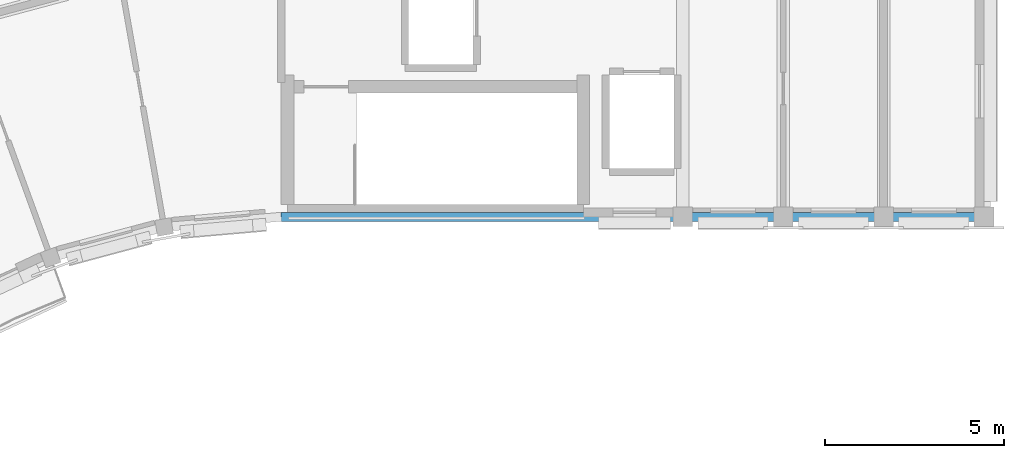
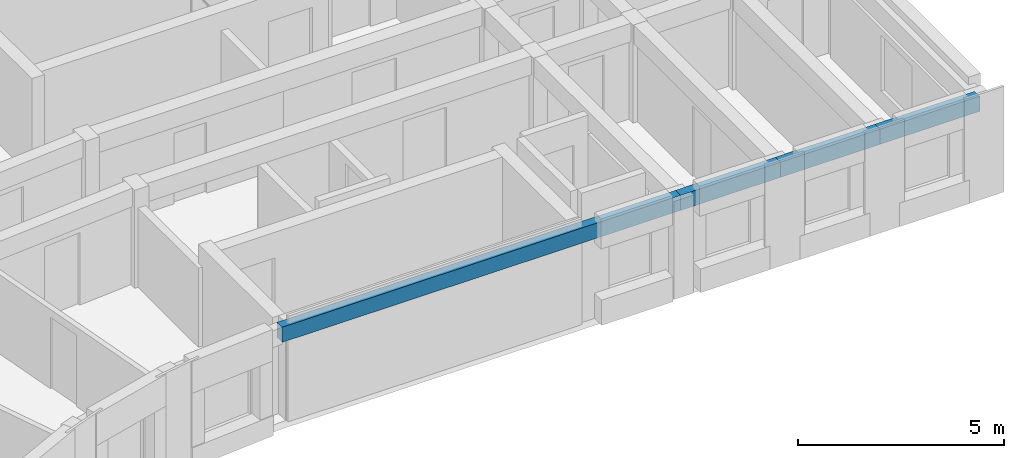
# One storey, part 3 of 14: 4 beams.
"""IFC4 building model written with IfcOpenShell, lengths in metres."""

from ifc_helpers import new_model, si_unit, direction, frame, origin, origin_2d, place, context, subcontext, project, spatial, rectangle, extrude, material, material_profile, profile_set, type_object, element, save


model = new_model("IFC4")

# Units and contexts
model_context = context("Model", 3, precision=1e-05, world=origin(), true_north=direction((0.0, 1.0)))
body_context = subcontext(model_context, "Body", "Model", "MODEL_VIEW")
ifc_project = project(units=[si_unit("LENGTHUNIT", "METRE"), si_unit("AREAUNIT", "SQUARE_METRE"), si_unit("VOLUMEUNIT", "CUBIC_METRE"), si_unit("PLANEANGLEUNIT", "RADIAN"), si_unit("MASSUNIT", "GRAM", prefix="KILO")], contexts=[model_context])

# Site, building, storey
site_placement = place(None, origin())
site = spatial("IfcSite", under=ifc_project, at=site_placement, CompositionType="ELEMENT")
building_placement = place(site_placement, origin())
building = spatial("IfcBuilding", under=site, at=building_placement, Name="Kiranvali Square Residences", CompositionType="ELEMENT")
storey_placement = place(building_placement, frame((0.0, 0.0, 49.64990234375)))
storey = spatial("IfcBuildingStorey", under=building, at=storey_placement, Name="L15", CompositionType="ELEMENT", Elevation=49.64990234375)

# Beams
ifc_material = material(Name="Concrete M40 (40 MPa)", Category="concrete")
ifc_material_profile = material_profile(ifc_material, rectangle(XDim=0.25, YDim=0.449951171875, at=origin_2d()), Name="RC 250x450")
ifc_profile_set = profile_set([ifc_material_profile], Name="Concrete M40 (40 MPa)")
beam_type = type_object("IfcBeamType", Name="SPN-M40-250x450", PredefinedType="SPANDREL", material=ifc_profile_set)
beam_placement = place(storey_placement, frame((48.199951171875, 106.60009765625, 2.68505859375), z_axis=(1.0, 0.0, 0.0), x_axis=(0.0, 1.0, 0.0)))
element("IfcBeam", 1, at=beam_placement, inside=storey, type_object=beam_type, Name="L15 beam BM-A-L15-A1U0-R0", PredefinedType="SPANDREL", context=body_context, shape_type="SweptSolid", body=[
    extrude(rectangle(XDim=0.25, YDim=0.449951171875, at=origin_2d()), origin(), (0.0, 0.0, 1.0), 11.199951171875),
])
for number, where, z_axis, x_axis, name in (
    (2, (59.39990234375, 106.60009765625, 2.68505859375), (1.0, 0.0, 0.0), (0.0, 1.0, 0.0), "L15 beam BM-A-L15-A1U1-R0"),
    (3, (62.199951171875, 106.60009765625, 2.68505859375), (1.0, 0.0, 0.0), (0.0, 1.0, 0.0), "L15 beam BM-A-L15-A1U2-R0"),
    (4, (65.0, 106.60009765625, 2.68505859375), (1.0, 0.0, 0.0), (0.0, 1.0, 0.0), "L15 beam BM-A-L15-A1U3-R0"),
):
    element("IfcBeam", number, at=place(storey_placement, frame(where, z_axis=z_axis, x_axis=x_axis)), inside=storey, type_object=beam_type, Name=name, PredefinedType="SPANDREL", context=body_context, shape_type="SweptSolid", body=[
        extrude(rectangle(XDim=0.25, YDim=0.449951171875, at=origin_2d()), origin(), (0.0, 0.0, 1.0), 2.800048828125),
    ])

save(model, "model.ifc")
